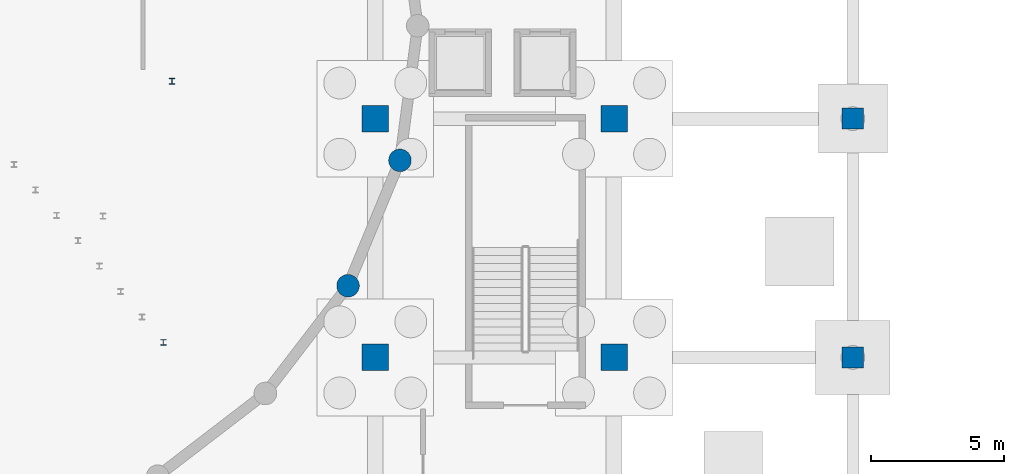
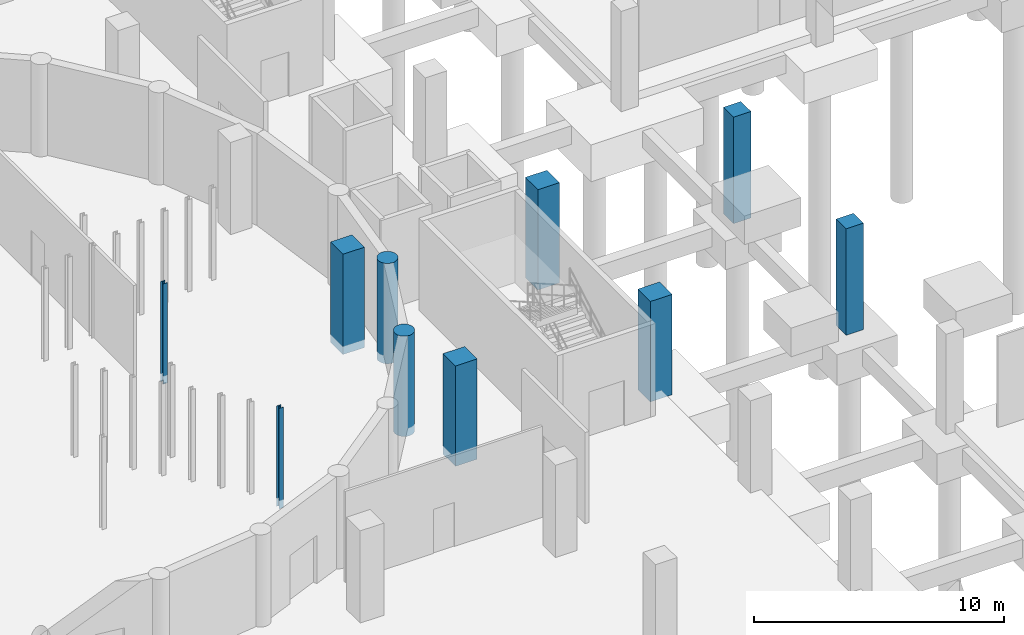
# One storey, part 20 of 40: 10 columns.
"""IFC4 building model written with IfcOpenShell, lengths in metres."""

from ifc_helpers import new_model, si_unit, direction, frame, origin, origin_2d, place, context, subcontext, project, spatial, rectangle, circle, i_section, extrude, material, material_profile, profile_set, type_object, element, save


model = new_model("IFC4")

# Units and contexts
model_context = context("Model", 3, precision=1e-05, world=origin(), true_north=direction((0.0, 1.0)))
body_context = subcontext(model_context, "Body", "Model", "MODEL_VIEW")
ifc_project = project(units=[si_unit("LENGTHUNIT", "METRE"), si_unit("AREAUNIT", "SQUARE_METRE"), si_unit("VOLUMEUNIT", "CUBIC_METRE"), si_unit("PLANEANGLEUNIT", "RADIAN"), si_unit("MASSUNIT", "GRAM", prefix="KILO")], contexts=[model_context])

# Site, building, storey
site_placement = place(None, origin())
site = spatial("IfcSite", under=ifc_project, at=site_placement, CompositionType="ELEMENT")
building_placement = place(site_placement, origin())
building = spatial("IfcBuilding", under=site, at=building_placement, Name="Marnock Terrace Opera House", CompositionType="ELEMENT")
storey_placement = place(building_placement, frame((0.0, 0.0, -4.800048828125)))
storey = spatial("IfcBuildingStorey", under=building, at=storey_placement, Name="B1", CompositionType="ELEMENT", Elevation=-4.800048828125)

# Columns
ifc_material_1 = material(Name="Concrete N50 (f'c = 50 MPa)", Category="concrete")
ifc_material_profile_1 = material_profile(ifc_material_1, circle(Radius=0.425048828125, at=origin_2d()))
ifc_profile_set_1 = profile_set([ifc_material_profile_1], Name="Concrete N50 (f'c = 50 MPa)")
column_type_1 = type_object("IfcColumnType", Name="COL-DRUM-850", PredefinedType="COLUMN", material=ifc_profile_set_1)
for number, where, z_axis, x_axis, name in (
    (1, (98.97412109375, 50.699951171875, -0.39990234375), (0.0, 0.0, 1.0), (1.0, 0.0, 0.0), "B1 auditorium drum pier 23"),
    (2, (100.931884765625, 55.427001953125, -0.39990234375), (0.0, 0.0, 1.0), (1.0, 0.0, 0.0), "B1 auditorium drum pier 24"),
):
    element("IfcColumn", number, at=place(storey_placement, frame(where, z_axis=z_axis, x_axis=x_axis)), inside=storey, type_object=column_type_1, Name=name, PredefinedType="COLUMN", context=body_context, shape_type="SweptSolid", body=[
        extrude(circle(Radius=0.425048828125, at=origin_2d()), origin(), (0.0, 0.0, 1.0), 4.89990234375),
    ])
ifc_material_profile_2 = material_profile(ifc_material_1, rectangle(XDim=1.0, YDim=1.0, at=origin_2d()))
ifc_profile_set_2 = profile_set([ifc_material_profile_2], Name="Concrete N50 (f'c = 50 MPa)")
column_type_2 = type_object("IfcColumnType", Name="COL-RC1000", PredefinedType="COLUMN", material=ifc_profile_set_2)
for number, where, z_axis, x_axis, name in (
    (3, (100.0, 48.0, -0.39990234375), (0.0, 0.0, 1.0), (1.0, 0.0, 0.0), "B1 column at (100.0, 48.0)"),
    (4, (100.0, 57.0, -0.39990234375), (0.0, 0.0, 1.0), (1.0, 0.0, 0.0), "B1 column at (100.0, 57.0)"),
    (5, (109.0, 48.0, -0.39990234375), (0.0, 0.0, 1.0), (1.0, 0.0, 0.0), "B1 column at (109.0, 48.0)"),
    (6, (109.0, 57.0, -0.39990234375), (0.0, 0.0, 1.0), (1.0, 0.0, 0.0), "B1 column at (109.0, 57.0)"),
):
    element("IfcColumn", number, at=place(storey_placement, frame(where, z_axis=z_axis, x_axis=x_axis)), inside=storey, type_object=column_type_2, Name=name, PredefinedType="COLUMN", context=body_context, shape_type="SweptSolid", body=[
        extrude(rectangle(XDim=1.0, YDim=1.0, at=origin_2d()), origin(), (0.0, 0.0, 1.0), 4.89990234375),
    ])
ifc_material_profile_3 = material_profile(ifc_material_1, rectangle(XDim=0.800048828125, YDim=0.800048828125, at=origin_2d()))
ifc_profile_set_3 = profile_set([ifc_material_profile_3], Name="Concrete N50 (f'c = 50 MPa)")
column_type_3 = type_object("IfcColumnType", Name="COL-RC800", PredefinedType="COLUMN", material=ifc_profile_set_3)
for number, where, z_axis, x_axis, name in (
    (7, (118.0, 48.0, -0.39990234375), (0.0, 0.0, 1.0), (1.0, 0.0, 0.0), "B1 column at (118.0, 48.0)"),
    (8, (118.0, 57.0, -0.39990234375), (0.0, 0.0, 1.0), (1.0, 0.0, 0.0), "B1 column at (118.0, 57.0)"),
):
    element("IfcColumn", number, at=place(storey_placement, frame(where, z_axis=z_axis, x_axis=x_axis)), inside=storey, type_object=column_type_3, Name=name, PredefinedType="COLUMN", context=body_context, shape_type="SweptSolid", body=[
        extrude(rectangle(XDim=0.800048828125, YDim=0.800048828125, at=origin_2d()), origin(), (0.0, 0.0, 1.0), 5.199951171875),
    ])
ifc_material_2 = material(Name="Steel Grade 350 (AS/NZS 3679.1)", Category="steel")
ifc_material_profile_4 = material_profile(ifc_material_2, i_section(OverallWidth=0.205078125, OverallDepth=0.209716796875, WebThickness=0.00927734375, FlangeThickness=0.01416015625, FilletRadius=0.011474609375, at=origin_2d()))
ifc_profile_set_4 = profile_set([ifc_material_profile_4], Name="Steel Grade 350 (AS/NZS 3679.1)")
column_type_4 = type_object("IfcColumnType", Name="COL-UC200", PredefinedType="COLUMN", material=ifc_profile_set_4)
for number, where, z_axis, x_axis, name in (
    (9, (92.011474609375, 48.56884765625, -0.39990234375), (0.0, 0.0, 1.0), (1.0, 0.0, 0.0), "B1 Stalls tier 8 understage support stanchion 16"),
    (10, (92.3408203125, 58.40966796875, -0.39990234375), (0.0, 0.0, 1.0), (1.0, 0.0, 0.0), "B1 Auditorium balcony-front column 7"),
):
    element("IfcColumn", number, at=place(storey_placement, frame(where, z_axis=z_axis, x_axis=x_axis)), inside=storey, type_object=column_type_4, Name=name, PredefinedType="COLUMN", context=body_context, shape_type="SweptSolid", body=[
        extrude(i_section(OverallWidth=0.205078125, OverallDepth=0.209716796875, WebThickness=0.00927734375, FlangeThickness=0.01416015625, FilletRadius=0.011474609375, at=origin_2d()), origin(), (0.0, 0.0, 1.0), 4.89990234375),
    ])

save(model, "model.ifc")
